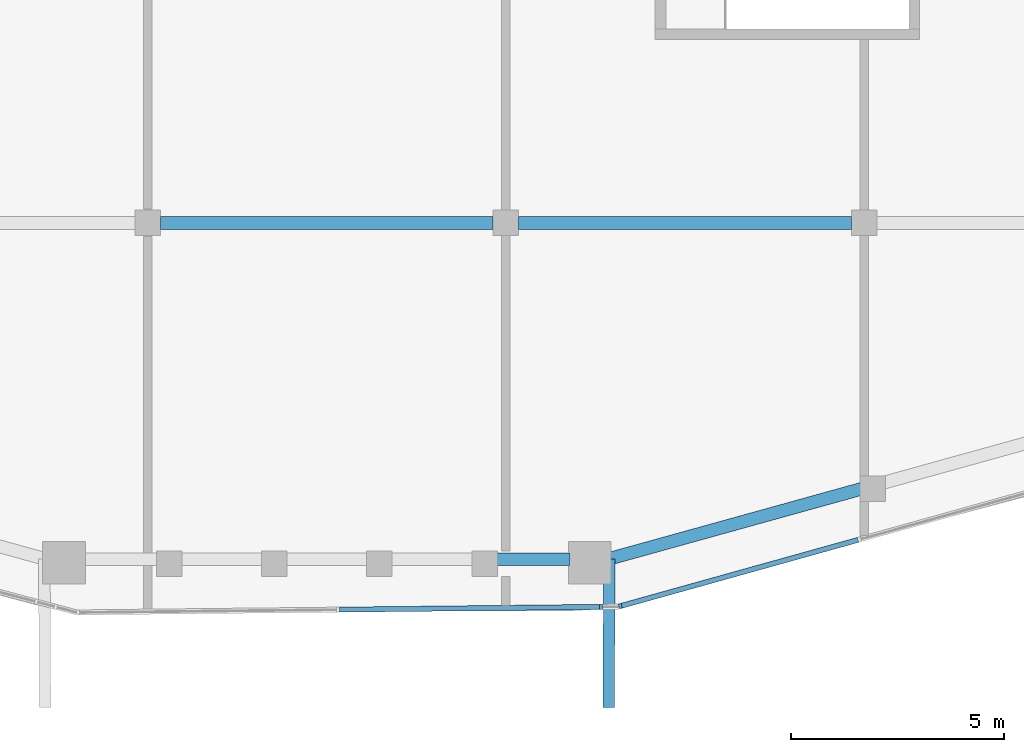
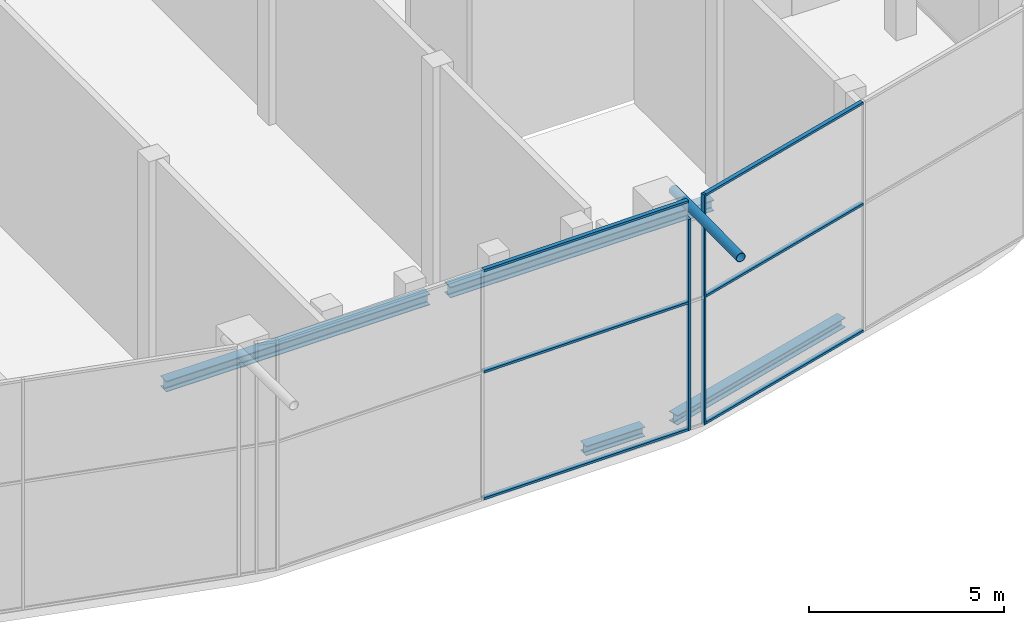
# One storey, part 3 of 23: 9 members, 4 beams, 3 elements without a shape of their own.
"""IFC4 building model written with IfcOpenShell, lengths in metres."""

from ifc_helpers import new_model, si_unit, direction, frame, origin, origin_2d, place, context, subcontext, project, spatial, rectangle, hollow_circle, i_section, extrude, material, layer, layer_set, material_profile, profile_set, type_object, element, aggregate, save


model = new_model("IFC4")

# Units and contexts
model_context = context("Model", 3, precision=1e-05, world=origin(), true_north=direction((0.0, 1.0)))
body_context = subcontext(model_context, "Body", "Model", "MODEL_VIEW")
ifc_project = project(units=[si_unit("LENGTHUNIT", "METRE"), si_unit("AREAUNIT", "SQUARE_METRE"), si_unit("VOLUMEUNIT", "CUBIC_METRE"), si_unit("PLANEANGLEUNIT", "RADIAN"), si_unit("MASSUNIT", "GRAM", prefix="KILO")], contexts=[model_context])

# Site, building, storey
site_placement = place(None, origin())
site = spatial("IfcSite", under=ifc_project, at=site_placement, CompositionType="ELEMENT")
building_placement = place(site_placement, origin())
building = spatial("IfcBuilding", under=site, at=building_placement, Name="Marenta Gate Hotel Tower", CompositionType="ELEMENT")
storey_placement = place(building_placement, frame((0.0, 0.0, 288.5)))
storey = spatial("IfcBuildingStorey", under=building, at=storey_placement, Name="L66", CompositionType="ELEMENT", Elevation=288.5)

# Beams
ifc_material_1 = material(Name="Steel S355", Category="steel")
ifc_material_profile_1 = material_profile(ifc_material_1, i_section(OverallWidth=0.300048828125, OverallDepth=0.300048828125, WebThickness=0.010986328125, FlangeThickness=0.01904296875, FilletRadius=0.027099609375, at=origin_2d()), Name="HEB 300")
ifc_profile_set_1 = profile_set([ifc_material_profile_1], Name="Steel S355")
beam_type_1 = type_object("IfcBeamType", Name="Edge beam HEB 300", PredefinedType="SPANDREL", material=ifc_profile_set_1)
beam_1_placement = place(storey_placement, frame((12.54541015625, -31.4365234375, -0.409912109375), z_axis=(-0.963620927714, -0.267272721524, 0.0), x_axis=(0.267272721524, -0.963620927714, 0.0)))
element("IfcBeam", 1, at=beam_1_placement, inside=storey, type_object=beam_type_1, Name="L66-EB-30", PredefinedType="SPANDREL", context=body_context, shape_type="SweptSolid", body=[
    extrude(i_section(OverallWidth=0.300048828125, OverallDepth=0.300048828125, WebThickness=0.010986328125, FlangeThickness=0.01904296875, FilletRadius=0.027099609375, at=origin_2d()), origin(), (0.0, 0.0, 1.0), 6.14111328125),
])
beam_2_placement = place(storey_placement, frame((5.706298828125, -33.09130859375, -0.409912109375), z_axis=(-1.0, 0.0, 0.0), x_axis=(0.0, -1.0, 0.0)))
element("IfcBeam", 2, at=beam_2_placement, inside=storey, type_object=beam_type_1, Name="L66-EB-31", PredefinedType="SPANDREL", context=body_context, shape_type="SweptSolid", body=[
    extrude(i_section(OverallWidth=0.300048828125, OverallDepth=0.300048828125, WebThickness=0.010986328125, FlangeThickness=0.01904296875, FilletRadius=0.027099609375, at=origin_2d()), origin(), (0.0, 0.0, 1.0), 1.74609375),
])

# Member
ifc_material_2 = material(Name="Steel S355J2W", Category="steel")
ifc_material_profile_2 = material_profile(ifc_material_2, hollow_circle(Radius=0.136474609375, WallThickness=0.012451171875, at=origin_2d()), Name="CHS 273x12.5")
ifc_profile_set_2 = profile_set([ifc_material_profile_2], Name="Steel S355J2W")
member_type_1 = type_object("IfcMemberType", Name="Floor tie CHS 273x12.5", PredefinedType="STRUT", material=ifc_profile_set_2)
member_1_placement = place(storey_placement, frame((6.60888671875, -36.570068359375, 6.739990234375), z_axis=(0.005391700916, 0.999985464675, 0.0), x_axis=(-0.999985464675, 0.005391700916, 0.0)))
element("IfcMember", 3, at=member_1_placement, inside=storey, type_object=member_type_1, Name="L66-DR-3", PredefinedType="STRUT", context=body_context, shape_type="SweptSolid", body=[
    extrude(hollow_circle(Radius=0.136474609375, WallThickness=0.012451171875, at=origin_2d()), origin(), (0.0, 0.0, 1.0), 3.486572265625),
])

# Beams
ifc_material_3 = material(Name="Steel S355", Category="steel")
ifc_material_profile_3 = material_profile(ifc_material_3, i_section(OverallWidth=0.300048828125, OverallDepth=0.340087890625, WebThickness=0.011962890625, FlangeThickness=0.021484375, FilletRadius=0.027099609375, at=origin_2d()), Name="HEB 340")
ifc_profile_set_3 = profile_set([ifc_material_profile_3], Name="Steel S355")
beam_type_2 = type_object("IfcBeamType", Name="Girder HEB 340", PredefinedType="BEAM", material=ifc_profile_set_3)
beam_3_placement = place(storey_placement, frame((-3.89990234375, -25.199951171875, -0.429931640625), z_axis=(1.0, 0.0, 0.0), x_axis=(0.0, 1.0, 0.0)))
element("IfcBeam", 4, at=beam_3_placement, inside=storey, type_object=beam_type_2, Name="L66-GD-3", PredefinedType="BEAM", context=body_context, shape_type="SweptSolid", body=[
    extrude(i_section(OverallWidth=0.300048828125, OverallDepth=0.340087890625, WebThickness=0.011962890625, FlangeThickness=0.021484375, FilletRadius=0.027099609375, at=origin_2d()), origin(), (0.0, 0.0, 1.0), 7.7998046875),
])
beam_4_placement = place(storey_placement, frame((4.5, -25.199951171875, -0.429931640625), z_axis=(1.0, 0.0, 0.0), x_axis=(0.0, 1.0, 0.0)))
element("IfcBeam", 5, at=beam_4_placement, inside=storey, type_object=beam_type_2, Name="L66-GD-4", PredefinedType="BEAM", context=body_context, shape_type="SweptSolid", body=[
    extrude(i_section(OverallWidth=0.300048828125, OverallDepth=0.340087890625, WebThickness=0.011962890625, FlangeThickness=0.021484375, FilletRadius=0.027099609375, at=origin_2d()), origin(), (0.0, 0.0, 1.0), 7.800048828125),
])

# Curtain wall, member
ifc_material_4 = material(Name="Tinted insulated glass in bronze anodised frame", Category="glass")
ifc_layer = layer(ifc_material_4, 0.1201171875)
ifc_layer_set = layer_set([ifc_layer], Name="Tinted insulated glass in bronze anodised frame")
curtain_wall_type = type_object("IfcCurtainWallType", Name="Sky restaurant glazing CW4", PredefinedType="NOTDEFINED", material=ifc_layer_set)
curtain_wall_1_placement = place(storey_placement, origin())
curtain_wall_1 = element("IfcCurtainWall", 6, at=curtain_wall_1_placement, inside=storey, type_object=curtain_wall_type, Name="CW4 run G13", PredefinedType="NOTDEFINED")
ifc_material_5 = material(Name="Bronze anodised aluminium", Category="aluminium")
ifc_material_profile_4 = material_profile(ifc_material_5, rectangle(XDim=0.1201171875, YDim=0.070068359375, at=origin_2d()), Name="Mullion CW4 70x120 bronze anodised aluminium")
ifc_profile_set_4 = profile_set([ifc_material_profile_4], Name="Bronze anodised aluminium")
member_type_2 = type_object("IfcMemberType", Name="Mullion CW4 70x120 bronze anodised aluminium", PredefinedType="MULLION", material=ifc_profile_set_4)
member_2_placement = place(storey_placement, frame((6.43017578125, -34.20703125, 0.0), z_axis=(0.0, 0.0, 1.0), x_axis=(-0.010632883051, 0.999943469301, 0.0)))
member_2 = element("IfcMember", 7, at=member_2_placement, type_object=member_type_2, Name="CW4 mullion 1", PredefinedType="MULLION", context=body_context, shape_type="SweptSolid", body=[
    extrude(rectangle(XDim=0.1201171875, YDim=0.070068359375, at=origin_2d()), origin(), (0.0, 0.0, 1.0), 6.6005859375),
])
aggregate(curtain_wall_1, [member_2])

curtain_wall_2_placement = place(storey_placement, origin())
curtain_wall_2 = element("IfcCurtainWall", 8, at=curtain_wall_2_placement, inside=storey, type_object=curtain_wall_type, Name="CW4 run G14", PredefinedType="NOTDEFINED")
member_3_placement = place(storey_placement, frame((6.8818359375, -34.190185546875, 0.0), z_axis=(0.0, 0.0, 1.0), x_axis=(-0.268549396065, 0.963265914415, 0.0)))
member_3 = element("IfcMember", 9, at=member_3_placement, type_object=member_type_2, Name="CW4 mullion 1", PredefinedType="MULLION", context=body_context, shape_type="SweptSolid", body=[
    extrude(rectangle(XDim=0.1201171875, YDim=0.070068359375, at=origin_2d()), origin(), (0.0, 0.0, 1.0), 7.199951171875),
])

# Curtain wall, members
curtain_wall_3_placement = place(storey_placement, origin())
curtain_wall_3 = element("IfcCurtainWall", 10, at=curtain_wall_3_placement, inside=storey, type_object=curtain_wall_type, Name="CW4 run G12", PredefinedType="NOTDEFINED")
ifc_material_6 = material(Name="Bronze anodised aluminium", Category="aluminium")
ifc_material_profile_5 = material_profile(ifc_material_6, rectangle(XDim=0.1201171875, YDim=0.070068359375, at=origin_2d()), Name="Transom CW4 70x120 bronze anodised aluminium")
ifc_profile_set_5 = profile_set([ifc_material_profile_5], Name="Bronze anodised aluminium")
member_type_3 = type_object("IfcMemberType", Name="Transom CW4 70x120 bronze anodised aluminium", PredefinedType="USERDEFINED", material=ifc_profile_set_5)
member_4_placement = place(storey_placement, frame((0.299560546875, -34.272216796875, 0.034912109375), z_axis=(0.999943680661, 0.010612987639, 0.0), x_axis=(-0.010612987639, 0.999943680661, 0.0)))
member_4 = element("IfcMember", 11, at=member_4_placement, type_object=member_type_3, Name="CW4 transom 2.1", ObjectType="TRANSOM", PredefinedType="USERDEFINED", context=body_context, shape_type="SweptSolid", body=[
    extrude(rectangle(XDim=0.1201171875, YDim=0.070068359375, at=origin_2d()), origin(), (0.0, 0.0, 1.0), 6.095947265625),
])
member_5_placement = place(storey_placement, frame((0.299560546875, -34.272216796875, 4.0), z_axis=(0.999943680661, 0.010612987639, 0.0), x_axis=(-0.010612987639, 0.999943680661, 0.0)))
member_5 = element("IfcMember", 12, at=member_5_placement, type_object=member_type_3, Name="CW4 transom 2.2", ObjectType="TRANSOM", PredefinedType="USERDEFINED", context=body_context, shape_type="SweptSolid", body=[
    extrude(rectangle(XDim=0.1201171875, YDim=0.070068359375, at=origin_2d()), origin(), (0.0, 0.0, 1.0), 6.095947265625),
])
member_6_placement = place(storey_placement, frame((0.299560546875, -34.272216796875, 7.1650390625), z_axis=(0.999943680661, 0.010612987639, 0.0), x_axis=(-0.010612987639, 0.999943680661, 0.0)))
member_6 = element("IfcMember", 13, at=member_6_placement, type_object=member_type_3, Name="CW4 transom 2.3", ObjectType="TRANSOM", PredefinedType="USERDEFINED", context=body_context, shape_type="SweptSolid", body=[
    extrude(rectangle(XDim=0.1201171875, YDim=0.070068359375, at=origin_2d()), origin(), (0.0, 0.0, 1.0), 6.095947265625),
])
aggregate(curtain_wall_3, [member_4, member_5, member_6])

# Member
member_7_placement = place(storey_placement, frame((6.91552734375, -34.180908203125, 0.034912109375), z_axis=(0.963270629019, 0.26853248457, 0.0), x_axis=(-0.26853248457, 0.963270629019, 0.0)))
member_7 = element("IfcMember", 14, at=member_7_placement, type_object=member_type_3, Name="CW4 transom 1.1", ObjectType="TRANSOM", PredefinedType="USERDEFINED", context=body_context, shape_type="SweptSolid", body=[
    extrude(rectangle(XDim=0.1201171875, YDim=0.070068359375, at=origin_2d()), origin(), (0.0, 0.0, 1.0), 5.752197265625),
])

member_8_placement = place(storey_placement, frame((6.91552734375, -34.180908203125, 4.0), z_axis=(0.963270629019, 0.26853248457, 0.0), x_axis=(-0.26853248457, 0.963270629019, 0.0)))
member_8 = element("IfcMember", 15, at=member_8_placement, type_object=member_type_3, Name="CW4 transom 1.2", ObjectType="TRANSOM", PredefinedType="USERDEFINED", context=body_context, shape_type="SweptSolid", body=[
    extrude(rectangle(XDim=0.1201171875, YDim=0.070068359375, at=origin_2d()), origin(), (0.0, 0.0, 1.0), 5.752197265625),
])

member_9_placement = place(storey_placement, frame((6.91552734375, -34.180908203125, 7.1650390625), z_axis=(0.963270629019, 0.26853248457, 0.0), x_axis=(-0.26853248457, 0.963270629019, 0.0)))
member_9 = element("IfcMember", 16, at=member_9_placement, type_object=member_type_3, Name="CW4 transom 1.3", ObjectType="TRANSOM", PredefinedType="USERDEFINED", context=body_context, shape_type="SweptSolid", body=[
    extrude(rectangle(XDim=0.1201171875, YDim=0.070068359375, at=origin_2d()), origin(), (0.0, 0.0, 1.0), 5.752197265625),
])

aggregate(curtain_wall_2, [member_3, member_7, member_8, member_9])

save(model, "model.ifc")
